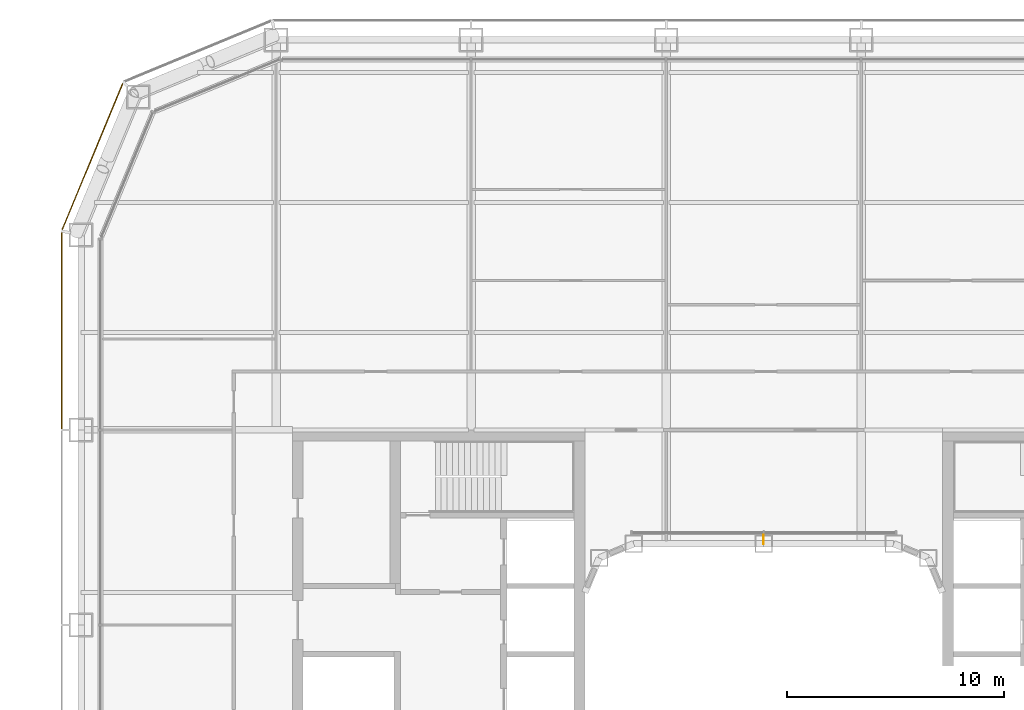
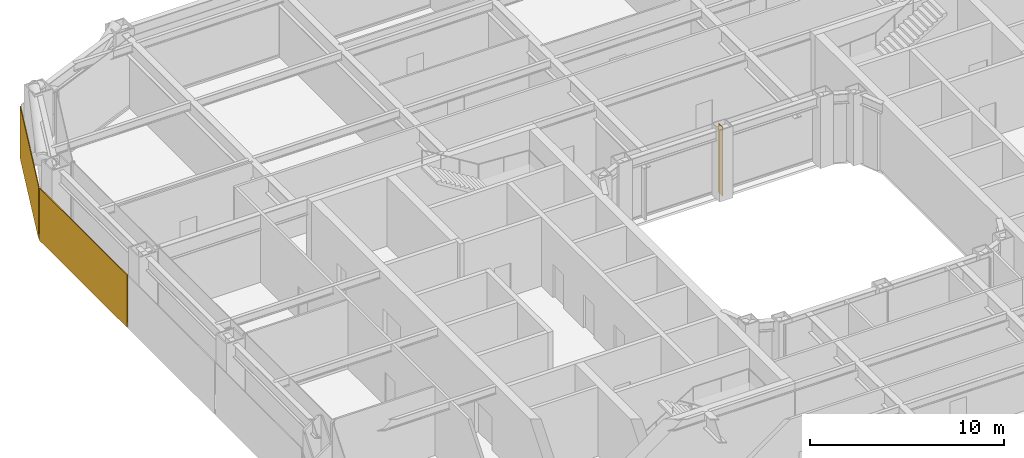
# One storey, part 25 of 27: 2 coverings, 1 shading device.
"""IFC4 building model written with IfcOpenShell, lengths in metres."""

from ifc_helpers import new_model, si_unit, direction, frame, origin, origin_2d, place, context, subcontext, project, spatial, rectangle, extrude, material, layer, layer_set, type_object, element, save


model = new_model("IFC4")

# Units and contexts
model_context = context("Model", 3, precision=1e-05, world=origin(), true_north=direction((0.0, 1.0)))
body_context = subcontext(model_context, "Body", "Model", "MODEL_VIEW")
ifc_project = project(units=[si_unit("LENGTHUNIT", "METRE"), si_unit("AREAUNIT", "SQUARE_METRE"), si_unit("VOLUMEUNIT", "CUBIC_METRE"), si_unit("PLANEANGLEUNIT", "RADIAN"), si_unit("MASSUNIT", "GRAM", prefix="KILO")], contexts=[model_context])

# Site, building, storey
site_placement = place(None, origin())
site = spatial("IfcSite", under=ifc_project, at=site_placement, CompositionType="ELEMENT")
building_placement = place(site_placement, origin())
building = spatial("IfcBuilding", under=site, at=building_placement, Name="Siwar Civic Tower", CompositionType="ELEMENT")
storey_placement = place(building_placement, frame((0.0, 0.0, 35.699951171875)))
storey = spatial("IfcBuildingStorey", under=building, at=storey_placement, Name="L07", CompositionType="ELEMENT", Elevation=35.699951171875)

# Shading device
ifc_material_1 = material(Name="Aluminium 6063-T6", Category="aluminium")
ifc_layer_1 = layer(ifc_material_1, 0.02001953125)
ifc_layer_set_1 = layer_set([ifc_layer_1], Name="Aluminium 6063-T6")
shading_device_type = type_object("IfcShadingDeviceType", Name="ENV-FIN", PredefinedType="JALOUSIE", material=ifc_layer_set_1)
shading_device_placement = place(storey_placement, frame((0.0, 8.445068359375, 0.0), z_axis=(0.0, 0.0, 1.0), x_axis=(-1.0, 0.0, 0.0)))
element("IfcShadingDevice", 1, at=shading_device_placement, inside=storey, type_object=shading_device_type, Name="SUNSHADE fin WN 1", PredefinedType="JALOUSIE", context=body_context, shape_type="SweptSolid", body=[
    extrude(rectangle(XDim=0.02001953125, YDim=0.449951171875, at=origin_2d()), origin(), (0.0, 0.0, 1.0), 4.35009765625),
])

# Coverings
ifc_material_2 = material(Name="Perforated aluminium cassette, pale metal", Category="aluminium")
ifc_layer_2 = layer(ifc_material_2, 0.044921875)
ifc_layer_set_2 = layer_set([ifc_layer_2], Name="Perforated aluminium cassette, pale metal")
covering_type_1 = type_object("IfcCoveringType", Name="ENV-OUTER SKIN OS-2", PredefinedType="CLADDING", material=ifc_layer_set_2)
covering_1_placement = place(storey_placement, frame((-30.976318359375, 26.115966796875, -0.14990234375), z_axis=(0.0, 0.0, 1.0), x_axis=(-0.382683432365, -0.923879532511, 0.0)))
element("IfcCovering", 2, at=covering_1_placement, inside=storey, type_object=covering_type_1, Name="OUTER SKIN OS-2 NW2 1", PredefinedType="CLADDING", context=body_context, shape_type="SweptSolid", body=[
    extrude(rectangle(XDim=7.300048828125, YDim=0.044921875, at=origin_2d()), origin(), (0.0, 0.0, 1.0), 3.300048828125),
])
ifc_material_3 = material(Name="Perforated aluminium cassette, pale metal", Category="aluminium")
ifc_layer_3 = layer(ifc_material_3, 0.050048828125)
ifc_layer_set_3 = layer_set([ifc_layer_3], Name="Perforated aluminium cassette, pale metal")
covering_type_2 = type_object("IfcCoveringType", Name="ENV-OUTER SKIN OS-3", PredefinedType="CLADDING", material=ifc_layer_set_3)
covering_2_placement = place(storey_placement, frame((-32.39990234375, 18.07958984375, -0.14990234375), z_axis=(0.0, 0.0, 1.0), x_axis=(0.0, -1.0, 0.0)))
element("IfcCovering", 3, at=covering_2_placement, inside=storey, type_object=covering_type_2, Name="OUTER SKIN OS-3 W 1", PredefinedType="CLADDING", context=body_context, shape_type="SweptSolid", body=[
    extrude(rectangle(XDim=9.05908203125, YDim=0.050048828125, at=origin_2d()), origin(), (0.0, 0.0, 1.0), 3.300048828125),
])

save(model, "model.ifc")
